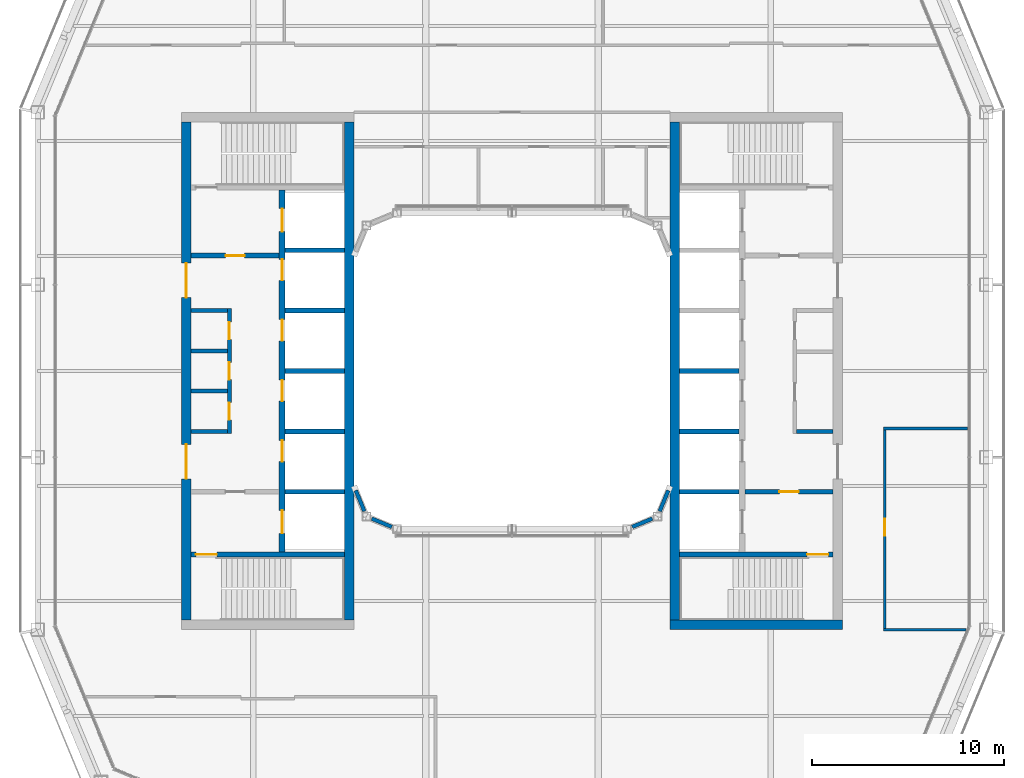
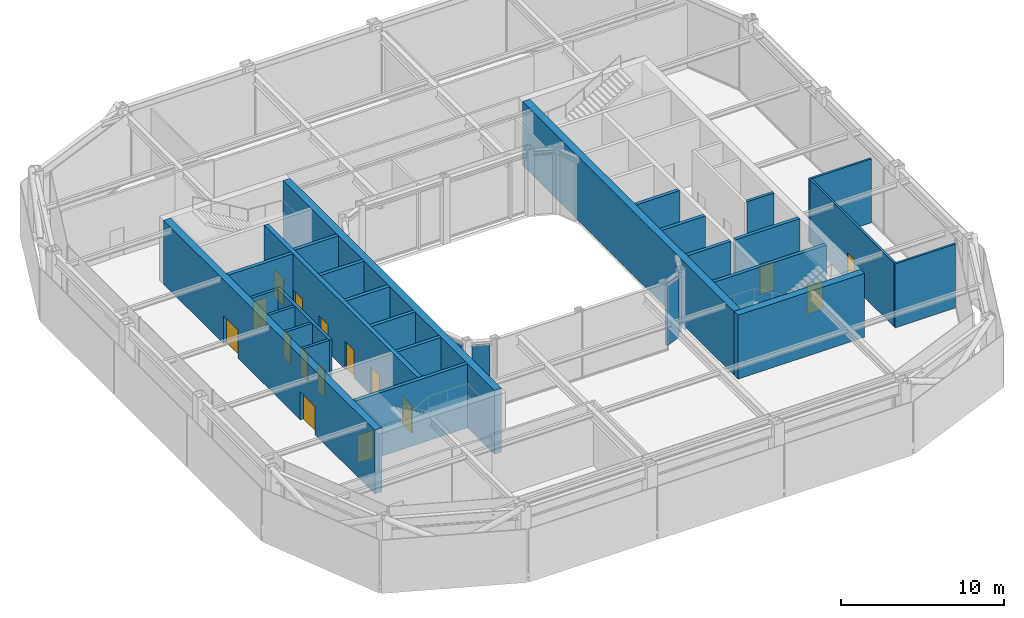
# One storey, part 11 of 17: 30 walls, 16 doors, 16 openings.
"""IFC4 building model written with IfcOpenShell, lengths in metres."""

from ifc_helpers import new_model, si_unit, direction, frame, frame_2d, origin, place, context, subcontext, project, spatial, rectangle, extrude, material, layer, layer_set, type_object, element, fill, save


model = new_model("IFC4")

# Units and contexts
model_context = context("Model", 3, precision=1e-05, world=origin(), true_north=direction((0.0, 1.0)))
body_context = subcontext(model_context, "Body", "Model", "MODEL_VIEW")
ifc_project = project(units=[si_unit("LENGTHUNIT", "METRE"), si_unit("AREAUNIT", "SQUARE_METRE"), si_unit("VOLUMEUNIT", "CUBIC_METRE"), si_unit("PLANEANGLEUNIT", "RADIAN"), si_unit("MASSUNIT", "GRAM", prefix="KILO")], contexts=[model_context])

# Site, building, storey
site_placement = place(None, origin())
site = spatial("IfcSite", under=ifc_project, at=site_placement, CompositionType="ELEMENT")
building_placement = place(site_placement, origin())
building = spatial("IfcBuilding", under=site, at=building_placement, Name="Siwar Civic Tower", CompositionType="ELEMENT")
storey_placement = place(building_placement, frame((0.0, 0.0, 353.199951171875)))
storey = spatial("IfcBuildingStorey", under=building, at=storey_placement, Name="L76", CompositionType="ELEMENT", Elevation=353.199951171875)

# Walls
ifc_material_1 = material(Name="Gypsum board on steel studs", Category="steel")
ifc_layer_1 = layer(ifc_material_1, 0.14990234375)
ifc_layer_set_1 = layer_set([ifc_layer_1], Name="Gypsum board on steel studs")
wall_type_1 = type_object("IfcWallType", Name="COMPARTMENT PARTITION 150 EI 60", PredefinedType="PARTITIONING", material=ifc_layer_set_1)
wall_1_placement = place(storey_placement, frame((19.375, -13.5, 0.0), z_axis=(0.0, 0.0, 1.0), x_axis=(1.0, 0.0, 0.0)))
element("IfcWall", 1, at=wall_1_placement, inside=storey, type_object=wall_type_1, Name="L76/wall/P04", PredefinedType="PARTITIONING", context=body_context, shape_type="SweptSolid", body=[
    extrude(rectangle(XDim=4.302978515625, YDim=0.14990234375, at=frame_2d((2.1513671875, 0.0))), origin(), (0.0, 0.0, 1.0), 4.800048828125),
])
wall_2_placement = place(storey_placement, frame((19.375, -3.0, 0.0), z_axis=(0.0, 0.0, 1.0), x_axis=(1.0, 0.0, 0.0)))
element("IfcWall", 2, at=wall_2_placement, inside=storey, type_object=wall_type_1, Name="L76/wall/P05", PredefinedType="PARTITIONING", context=body_context, shape_type="SweptSolid", body=[
    extrude(rectangle(XDim=4.385009765625, YDim=0.14990234375, at=frame_2d((2.1923828125, 0.0))), origin(), (0.0, 0.0, 1.0), 4.800048828125),
])

# Wall, opening, door
wall_3_placement = place(storey_placement, frame((19.449951171875, -13.425048828125, 0.0), z_axis=(0.0, 0.0, 1.0), x_axis=(0.0, 1.0, 0.0)))
wall_3 = element("IfcWall", 3, at=wall_3_placement, inside=storey, type_object=wall_type_1, Name="L76/wall/P21", PredefinedType="PARTITIONING", context=body_context, shape_type="SweptSolid", body=[
    extrude(rectangle(XDim=10.35009765625, YDim=0.14990234375, at=frame_2d((5.175048828125, 0.0))), origin(), (0.0, 0.0, 1.0), 4.800048828125),
])
opening_1_placement = place(wall_3_placement, frame((4.824951171875, 0.0, 0.0)))
opening_1 = element("IfcOpeningElement", 4, at=opening_1_placement, cuts=wall_3, Name="Opening D4", PredefinedType="OPENING", context=body_context, shape_type="SweptSolid", body=[
    extrude(rectangle(XDim=0.89990234375, YDim=2.10009765625, at=frame_2d((0.449951171875, 1.050048828125))), frame((0.0, 0.0849609375, 0.0), z_axis=(0.0, -1.0, 0.0), x_axis=(1.0, 0.0, 0.0)), (0.0, 0.0, 1.0), 0.169921875),
])
ifc_material_2 = material(Name="Timber, painted", Category="wood")
door_type_1 = type_object("IfcDoorType", Name="DOOR 900 X 2100 FD60", OperationType="SINGLE_SWING_LEFT", PredefinedType="DOOR", material=ifc_material_2)
door_1_placement = place(opening_1_placement, origin())
door_1 = element("IfcDoor", 5, at=door_1_placement, inside=storey, type_object=door_type_1, Name="L76-D09", OperationType="SINGLE_SWING_LEFT", OverallHeight=2.10009765625, OverallWidth=0.89990234375, PredefinedType="DOOR", context=body_context, shape_type="SweptSolid", body=[
    extrude(rectangle(XDim=0.89990234375, YDim=2.10009765625, at=frame_2d((0.449951171875, 1.050048828125))), frame((0.0, 0.02490234375, 0.0), z_axis=(0.0, -1.0, 0.0), x_axis=(1.0, 0.0, 0.0)), (0.0, 0.0, 1.0), 0.050048828125),
])
fill(opening_1, door_1)

# Wall, openings, doors
ifc_material_3 = material(Name="Gypsum board on steel studs", Category="steel")
ifc_layer_2 = layer(ifc_material_3, 0.199951171875)
ifc_layer_set_2 = layer_set([ifc_layer_2], Name="Gypsum board on steel studs")
wall_type_2 = type_object("IfcWallType", Name="CORE-PARTITION-200", PredefinedType="PARTITIONING", material=ifc_layer_set_2)
wall_4_placement = place(storey_placement, frame((-14.75, -3.25, 0.0), z_axis=(0.0, 0.0, 1.0), x_axis=(0.0, 1.0, 0.0)))
wall_4 = element("IfcWall", 6, at=wall_4_placement, inside=storey, type_object=wall_type_2, Name="Core partition W", PredefinedType="PARTITIONING", context=body_context, shape_type="SweptSolid", body=[
    extrude(rectangle(XDim=6.5, YDim=0.199951171875, at=frame_2d((3.25, 0.0))), origin(), (0.0, 0.0, 1.0), 4.800048828125),
])
opening_2_placement = place(wall_4_placement, frame((0.699951171875, 0.0, 0.0)))
opening_2 = element("IfcOpeningElement", 7, at=opening_2_placement, cuts=wall_4, Name="Opening L76-CW13", PredefinedType="OPENING", context=body_context, shape_type="SweptSolid", body=[
    extrude(rectangle(XDim=0.89990234375, YDim=2.10009765625, at=frame_2d((0.449951171875, 1.050048828125))), frame((0.0, 0.10986328125, 0.0), z_axis=(0.0, -1.0, 0.0), x_axis=(1.0, 0.0, 0.0)), (0.0, 0.0, 1.0), 0.219970703125),
])
opening_3_placement = place(wall_4_placement, frame((2.800048828125, 0.0, 0.0)))
opening_3 = element("IfcOpeningElement", 8, at=opening_3_placement, cuts=wall_4, Name="Opening L76-CW14", PredefinedType="OPENING", context=body_context, shape_type="SweptSolid", body=[
    extrude(rectangle(XDim=0.89990234375, YDim=2.10009765625, at=frame_2d((0.449951171875, 1.050048828125))), frame((0.0, 0.10986328125, 0.0), z_axis=(0.0, -1.0, 0.0), x_axis=(1.0, 0.0, 0.0)), (0.0, 0.0, 1.0), 0.219970703125),
])
opening_4_placement = place(wall_4_placement, frame((4.89990234375, 0.0, 0.0)))
opening_4 = element("IfcOpeningElement", 9, at=opening_4_placement, cuts=wall_4, Name="Opening L76-CW15", PredefinedType="OPENING", context=body_context, shape_type="SweptSolid", body=[
    extrude(rectangle(XDim=0.89990234375, YDim=2.10009765625, at=frame_2d((0.449951171875, 1.050048828125))), frame((0.0, 0.10986328125, 0.0), z_axis=(0.0, -1.0, 0.0), x_axis=(1.0, 0.0, 0.0)), (0.0, 0.0, 1.0), 0.219970703125),
])
ifc_material_4 = material(Name="Steel door leaf", Category="steel")
door_type_2 = type_object("IfcDoorType", Name="CORE-DOOR-ROOM", OperationType="SINGLE_SWING_LEFT", PredefinedType="DOOR", material=ifc_material_4)
door_2_placement = place(opening_2_placement, origin())
door_2 = element("IfcDoor", 10, at=door_2_placement, inside=storey, type_object=door_type_2, Name="Core room door L76-CW13", OperationType="SINGLE_SWING_RIGHT", OverallHeight=2.10009765625, OverallWidth=0.89990234375, PredefinedType="DOOR", context=body_context, shape_type="SweptSolid", body=[
    extrude(rectangle(XDim=0.89990234375, YDim=2.10009765625, at=frame_2d((0.449951171875, 1.050048828125))), frame((0.0, 0.02490234375, 0.0), z_axis=(0.0, -1.0, 0.0), x_axis=(1.0, 0.0, 0.0)), (0.0, 0.0, 1.0), 0.050048828125),
])
fill(opening_2, door_2)
door_3_placement = place(opening_3_placement, origin())
door_3 = element("IfcDoor", 11, at=door_3_placement, inside=storey, type_object=door_type_2, Name="Core room door L76-CW14", OperationType="SINGLE_SWING_RIGHT", OverallHeight=2.10009765625, OverallWidth=0.89990234375, PredefinedType="DOOR", context=body_context, shape_type="SweptSolid", body=[
    extrude(rectangle(XDim=0.89990234375, YDim=2.10009765625, at=frame_2d((0.449951171875, 1.050048828125))), frame((0.0, 0.02490234375, 0.0), z_axis=(0.0, -1.0, 0.0), x_axis=(1.0, 0.0, 0.0)), (0.0, 0.0, 1.0), 0.050048828125),
])
fill(opening_3, door_3)
door_4_placement = place(opening_4_placement, origin())
door_4 = element("IfcDoor", 12, at=door_4_placement, inside=storey, type_object=door_type_2, Name="Core room door L76-CW15", OperationType="SINGLE_SWING_RIGHT", OverallHeight=2.10009765625, OverallWidth=0.89990234375, PredefinedType="DOOR", context=body_context, shape_type="SweptSolid", body=[
    extrude(rectangle(XDim=0.89990234375, YDim=2.10009765625, at=frame_2d((0.449951171875, 1.050048828125))), frame((0.0, 0.02490234375, 0.0), z_axis=(0.0, -1.0, 0.0), x_axis=(1.0, 0.0, 0.0)), (0.0, 0.0, 1.0), 0.050048828125),
])
fill(opening_4, door_4)

# Walls
for number, where, z_axis, x_axis, name in (
    (13, (-14.85009765625, 3.14990234375, 0.0), (0.0, 0.0, 1.0), (-1.0, 0.0, 0.0), "Core partition W"),
    (14, (-14.85009765625, -3.14990234375, 0.0), (0.0, 0.0, 1.0), (-1.0, 0.0, 0.0), "Core partition W"),
    (15, (-14.85009765625, -1.050048828125, 0.0), (0.0, 0.0, 1.0), (-1.0, 0.0, 0.0), "Core partition W"),
    (16, (-14.85009765625, 1.050048828125, 0.0), (0.0, 0.0, 1.0), (-1.0, 0.0, 0.0), "Core partition W"),
    (17, (14.85009765625, -3.14990234375, 0.0), (0.0, 0.0, 1.0), (1.0, 0.0, 0.0), "Core partition E"),
):
    element("IfcWall", number, at=place(storey_placement, frame(where, z_axis=z_axis, x_axis=x_axis)), inside=storey, type_object=wall_type_2, Name=name, PredefinedType="PARTITIONING", context=body_context, shape_type="SweptSolid", body=[
        extrude(rectangle(XDim=1.89990234375, YDim=0.199951171875, at=frame_2d((0.949951171875, 0.0))), origin(), (0.0, 0.0, 1.0), 4.800048828125),
    ])

# Wall, opening, door
ifc_material_5 = material(Name="Concrete C60/75", Category="concrete")
ifc_layer_3 = layer(ifc_material_5, 0.25)
ifc_layer_set_3 = layer_set([ifc_layer_3], Name="Concrete C60/75")
wall_type_3 = type_object("IfcWallType", Name="CORE-WALL-RC250", PredefinedType="SHEAR", material=ifc_layer_set_3)
wall_5_placement = place(storey_placement, frame((-12.14990234375, 6.02490234375, 0.0), z_axis=(0.0, 0.0, 1.0), x_axis=(-1.0, 0.0, 0.0)))
wall_5 = element("IfcWall", 18, at=wall_5_placement, inside=storey, type_object=wall_type_3, Name="Core wall W", PredefinedType="SHEAR", context=body_context, shape_type="SweptSolid", body=[
    extrude(rectangle(XDim=4.60009765625, YDim=0.25, at=frame_2d((2.300048828125, 0.0))), origin(), (0.0, 0.0, 1.0), 4.800048828125),
])
opening_5_placement = place(wall_5_placement, frame((1.800048828125, 0.0, 0.0)))
opening_5 = element("IfcOpeningElement", 19, at=opening_5_placement, cuts=wall_5, Name="Opening L76-CW01", PredefinedType="OPENING", context=body_context, shape_type="SweptSolid", body=[
    extrude(rectangle(XDim=1.0, YDim=2.10009765625, at=frame_2d((0.5, 1.050048828125))), frame((0.0, 0.135009765625, 0.0), z_axis=(0.0, -1.0, 0.0), x_axis=(1.0, 0.0, 0.0)), (0.0, 0.0, 1.0), 0.27001953125),
])
ifc_material_6 = material(Name="Steel door leaf", Category="steel")
door_type_3 = type_object("IfcDoorType", Name="CORE-DOOR-FD30S", OperationType="SINGLE_SWING_LEFT", PredefinedType="DOOR", material=ifc_material_6)
door_5_placement = place(opening_5_placement, origin())
door_5 = element("IfcDoor", 20, at=door_5_placement, inside=storey, type_object=door_type_3, Name="Firefighting lobby door L76-CW01", OperationType="SINGLE_SWING_LEFT", OverallHeight=2.10009765625, OverallWidth=1.0, PredefinedType="DOOR", context=body_context, shape_type="SweptSolid", body=[
    extrude(rectangle(XDim=1.0, YDim=2.10009765625, at=frame_2d((0.5, 1.050048828125))), frame((0.0, 0.02490234375, 0.0), z_axis=(0.0, -1.0, 0.0), x_axis=(1.0, 0.0, 0.0)), (0.0, 0.0, 1.0), 0.050048828125),
])
fill(opening_5, door_5)

# Walls
for number, where, z_axis, x_axis, name in (
    (21, (-8.75, 0.0, 0.0), (0.0, 0.0, 1.0), (-1.0, 0.0, 0.0), "Core wall W"),
    (22, (-8.75, 3.14990234375, 0.0), (0.0, 0.0, 1.0), (-1.0, 0.0, 0.0), "Core wall W"),
    (23, (-8.75, 6.300048828125, 0.0), (0.0, 0.0, 1.0), (-1.0, 0.0, 0.0), "Core wall W"),
    (24, (-8.75, -3.14990234375, 0.0), (0.0, 0.0, 1.0), (-1.0, 0.0, 0.0), "Core wall W"),
    (25, (-8.75, -6.300048828125, 0.0), (0.0, 0.0, 1.0), (-1.0, 0.0, 0.0), "Core wall W"),
):
    element("IfcWall", number, at=place(storey_placement, frame(where, z_axis=z_axis, x_axis=x_axis)), inside=storey, type_object=wall_type_3, Name=name, PredefinedType="SHEAR", context=body_context, shape_type="SweptSolid", body=[
        extrude(rectangle(XDim=3.10009765625, YDim=0.25, at=frame_2d((1.550048828125, 0.0))), origin(), (0.0, 0.0, 1.0), 4.800048828125),
    ])

# Wall, opening, door
wall_6_placement = place(storey_placement, frame((-8.75, -9.574951171875, 0.0), z_axis=(0.0, 0.0, 1.0), x_axis=(-1.0, 0.0, 0.0)))
wall_6 = element("IfcWall", 26, at=wall_6_placement, inside=storey, type_object=wall_type_3, Name="Core wall W", PredefinedType="SHEAR", context=body_context, shape_type="SweptSolid", body=[
    extrude(rectangle(XDim=8.0, YDim=0.25, at=frame_2d((4.0, 0.0))), origin(), (0.0, 0.0, 1.0), 4.800048828125),
])
opening_6_placement = place(wall_6_placement, frame((6.64990234375, 0.0, 0.0)))
opening_6 = element("IfcOpeningElement", 27, at=opening_6_placement, cuts=wall_6, Name="Opening L76-CW04", PredefinedType="OPENING", context=body_context, shape_type="SweptSolid", body=[
    extrude(rectangle(XDim=1.10009765625, YDim=2.10009765625, at=frame_2d((0.550048828125, 1.050048828125))), frame((0.0, 0.135009765625, 0.0), z_axis=(0.0, -1.0, 0.0), x_axis=(1.0, 0.0, 0.0)), (0.0, 0.0, 1.0), 0.27001953125),
])
ifc_material_7 = material(Name="Steel door leaf", Category="steel")
door_type_4 = type_object("IfcDoorType", Name="CORE-DOOR-FD60S", OperationType="SINGLE_SWING_LEFT", PredefinedType="DOOR", material=ifc_material_7)
door_6_placement = place(opening_6_placement, origin())
door_6 = element("IfcDoor", 28, at=door_6_placement, inside=storey, type_object=door_type_4, Name="Stair door L76-CW04", OperationType="SINGLE_SWING_LEFT", OverallHeight=2.10009765625, OverallWidth=1.10009765625, PredefinedType="DOOR", context=body_context, shape_type="SweptSolid", body=[
    extrude(rectangle(XDim=1.10009765625, YDim=2.10009765625, at=frame_2d((0.550048828125, 1.050048828125))), frame((0.0, 0.02490234375, 0.0), z_axis=(0.0, -1.0, 0.0), x_axis=(1.0, 0.0, 0.0)), (0.0, 0.0, 1.0), 0.050048828125),
])
fill(opening_6, door_6)

wall_7_placement = place(storey_placement, frame((12.14990234375, -6.300048828125, 0.0), z_axis=(0.0, 0.0, 1.0), x_axis=(1.0, 0.0, 0.0)))
wall_7 = element("IfcWall", 29, at=wall_7_placement, inside=storey, type_object=wall_type_3, Name="Core wall E", PredefinedType="SHEAR", context=body_context, shape_type="SweptSolid", body=[
    extrude(rectangle(XDim=4.60009765625, YDim=0.25, at=frame_2d((2.300048828125, 0.0))), origin(), (0.0, 0.0, 1.0), 4.800048828125),
])
opening_7_placement = place(wall_7_placement, frame((1.800048828125, 0.0, 0.0)))
opening_7 = element("IfcOpeningElement", 30, at=opening_7_placement, cuts=wall_7, Name="Opening L76-CE02", PredefinedType="OPENING", context=body_context, shape_type="SweptSolid", body=[
    extrude(rectangle(XDim=1.0, YDim=2.10009765625, at=frame_2d((0.5, 1.050048828125))), frame((0.0, 0.135009765625, 0.0), z_axis=(0.0, -1.0, 0.0), x_axis=(1.0, 0.0, 0.0)), (0.0, 0.0, 1.0), 0.27001953125),
])
door_7_placement = place(opening_7_placement, origin())
door_7 = element("IfcDoor", 31, at=door_7_placement, inside=storey, type_object=door_type_3, Name="Service lobby door L76-CE02", OperationType="SINGLE_SWING_LEFT", OverallHeight=2.10009765625, OverallWidth=1.0, PredefinedType="DOOR", context=body_context, shape_type="SweptSolid", body=[
    extrude(rectangle(XDim=1.0, YDim=2.10009765625, at=frame_2d((0.5, 1.050048828125))), frame((0.0, 0.02490234375, 0.0), z_axis=(0.0, -1.0, 0.0), x_axis=(1.0, 0.0, 0.0)), (0.0, 0.0, 1.0), 0.050048828125),
])
fill(opening_7, door_7)

# Walls
for number, where, z_axis, x_axis, name in (
    (32, (8.75, 0.0, 0.0), (0.0, 0.0, 1.0), (1.0, 0.0, 0.0), "Core wall E"),
    (33, (8.75, -3.14990234375, 0.0), (0.0, 0.0, 1.0), (1.0, 0.0, 0.0), "Core wall E"),
    (34, (8.75, -6.300048828125, 0.0), (0.0, 0.0, 1.0), (1.0, 0.0, 0.0), "Core wall E"),
):
    element("IfcWall", number, at=place(storey_placement, frame(where, z_axis=z_axis, x_axis=x_axis)), inside=storey, type_object=wall_type_3, Name=name, PredefinedType="SHEAR", context=body_context, shape_type="SweptSolid", body=[
        extrude(rectangle(XDim=3.10009765625, YDim=0.25, at=frame_2d((1.550048828125, 0.0))), origin(), (0.0, 0.0, 1.0), 4.800048828125),
    ])

# Wall, opening, door
wall_8_placement = place(storey_placement, frame((8.75, -9.574951171875, 0.0), z_axis=(0.0, 0.0, 1.0), x_axis=(1.0, 0.0, 0.0)))
wall_8 = element("IfcWall", 35, at=wall_8_placement, inside=storey, type_object=wall_type_3, Name="Core wall E", PredefinedType="SHEAR", context=body_context, shape_type="SweptSolid", body=[
    extrude(rectangle(XDim=8.0, YDim=0.25, at=frame_2d((4.0, 0.0))), origin(), (0.0, 0.0, 1.0), 4.800048828125),
])
opening_8_placement = place(wall_8_placement, frame((6.64990234375, 0.0, 0.0)))
opening_8 = element("IfcOpeningElement", 36, at=opening_8_placement, cuts=wall_8, Name="Opening L76-CE04", PredefinedType="OPENING", context=body_context, shape_type="SweptSolid", body=[
    extrude(rectangle(XDim=1.10009765625, YDim=2.10009765625, at=frame_2d((0.550048828125, 1.050048828125))), frame((0.0, 0.135009765625, 0.0), z_axis=(0.0, -1.0, 0.0), x_axis=(1.0, 0.0, 0.0)), (0.0, 0.0, 1.0), 0.27001953125),
])
door_8_placement = place(opening_8_placement, origin())
door_8 = element("IfcDoor", 37, at=door_8_placement, inside=storey, type_object=door_type_4, Name="Stair door L76-CE04", OperationType="SINGLE_SWING_RIGHT", OverallHeight=2.10009765625, OverallWidth=1.10009765625, PredefinedType="DOOR", context=body_context, shape_type="SweptSolid", body=[
    extrude(rectangle(XDim=1.10009765625, YDim=2.10009765625, at=frame_2d((0.550048828125, 1.050048828125))), frame((0.0, 0.02490234375, 0.0), z_axis=(0.0, -1.0, 0.0), x_axis=(1.0, 0.0, 0.0)), (0.0, 0.0, 1.0), 0.050048828125),
])
fill(opening_8, door_8)

# Wall, openings, doors
ifc_material_8 = material(Name="Concrete C60/75", Category="concrete")
ifc_layer_4 = layer(ifc_material_8, 0.300048828125)
ifc_layer_set_4 = layer_set([ifc_layer_4], Name="Concrete C60/75")
wall_type_4 = type_object("IfcWallType", Name="CORE-WALL-RC300", PredefinedType="SHEAR", material=ifc_layer_set_4)
wall_9_placement = place(storey_placement, frame((-12.0, -9.449951171875, 0.0), z_axis=(0.0, 0.0, 1.0), x_axis=(0.0, 1.0, 0.0)))
wall_9 = element("IfcWall", 38, at=wall_9_placement, inside=storey, type_object=wall_type_4, Name="Core wall W", PredefinedType="SHEAR", context=body_context, shape_type="SweptSolid", body=[
    extrude(rectangle(XDim=18.89990234375, YDim=0.300048828125, at=frame_2d((9.449951171875, 0.0))), origin(), (0.0, 0.0, 1.0), 4.800048828125),
])
opening_9_placement = place(wall_9_placement, frame((4.72509765625, 0.0, 0.0)))
opening_9 = element("IfcOpeningElement", 39, at=opening_9_placement, cuts=wall_9, Name="Opening L76-CW07", PredefinedType="OPENING", context=body_context, shape_type="SweptSolid", body=[
    extrude(rectangle(XDim=1.10009765625, YDim=2.10009765625, at=frame_2d((0.550048828125, 1.050048828125))), frame((0.0, 0.16015625, 0.0), z_axis=(0.0, -1.0, 0.0), x_axis=(1.0, 0.0, 0.0)), (0.0, 0.0, 1.0), 0.320068359375),
])
opening_10_placement = place(wall_9_placement, frame((7.875, 0.0, 0.0)))
opening_10 = element("IfcOpeningElement", 40, at=opening_10_placement, cuts=wall_9, Name="Opening L76-CW08", PredefinedType="OPENING", context=body_context, shape_type="SweptSolid", body=[
    extrude(rectangle(XDim=1.10009765625, YDim=2.10009765625, at=frame_2d((0.550048828125, 1.050048828125))), frame((0.0, 0.16015625, 0.0), z_axis=(0.0, -1.0, 0.0), x_axis=(1.0, 0.0, 0.0)), (0.0, 0.0, 1.0), 0.320068359375),
])
opening_11_placement = place(wall_9_placement, frame((11.02490234375, 0.0, 0.0)))
opening_11 = element("IfcOpeningElement", 41, at=opening_11_placement, cuts=wall_9, Name="Opening L76-CW09", PredefinedType="OPENING", context=body_context, shape_type="SweptSolid", body=[
    extrude(rectangle(XDim=1.10009765625, YDim=2.10009765625, at=frame_2d((0.550048828125, 1.050048828125))), frame((0.0, 0.16015625, 0.0), z_axis=(0.0, -1.0, 0.0), x_axis=(1.0, 0.0, 0.0)), (0.0, 0.0, 1.0), 0.320068359375),
])
opening_12_placement = place(wall_9_placement, frame((14.175048828125, 0.0, 0.0)))
opening_12 = element("IfcOpeningElement", 42, at=opening_12_placement, cuts=wall_9, Name="Opening L76-CW10", PredefinedType="OPENING", context=body_context, shape_type="SweptSolid", body=[
    extrude(rectangle(XDim=1.10009765625, YDim=2.10009765625, at=frame_2d((0.550048828125, 1.050048828125))), frame((0.0, 0.16015625, 0.0), z_axis=(0.0, -1.0, 0.0), x_axis=(1.0, 0.0, 0.0)), (0.0, 0.0, 1.0), 0.320068359375),
])
opening_13_placement = place(wall_9_placement, frame((16.72509765625, 0.0, 0.0)))
opening_13 = element("IfcOpeningElement", 43, at=opening_13_placement, cuts=wall_9, Name="Opening L76-CW11", PredefinedType="OPENING", context=body_context, shape_type="SweptSolid", body=[
    extrude(rectangle(XDim=1.199951171875, YDim=2.10009765625, at=frame_2d((0.60009765625, 1.050048828125))), frame((0.0, 0.16015625, 0.0), z_axis=(0.0, -1.0, 0.0), x_axis=(1.0, 0.0, 0.0)), (0.0, 0.0, 1.0), 0.320068359375),
])
opening_14_placement = place(wall_9_placement, frame((0.97509765625, 0.0, 0.0)))
opening_14 = element("IfcOpeningElement", 44, at=opening_14_placement, cuts=wall_9, Name="Opening L76-CW12", PredefinedType="OPENING", context=body_context, shape_type="SweptSolid", body=[
    extrude(rectangle(XDim=1.199951171875, YDim=2.10009765625, at=frame_2d((0.60009765625, 1.050048828125))), frame((0.0, 0.16015625, 0.0), z_axis=(0.0, -1.0, 0.0), x_axis=(1.0, 0.0, 0.0)), (0.0, 0.0, 1.0), 0.320068359375),
])
ifc_material_9 = material(Name="Steel door leaf", Category="steel")
door_type_5 = type_object("IfcDoorType", Name="CORE-DOOR-LD", OperationType="DOUBLE_DOOR_SLIDING", PredefinedType="DOOR", material=ifc_material_9)
door_9_placement = place(opening_9_placement, origin())
door_9 = element("IfcDoor", 45, at=door_9_placement, inside=storey, type_object=door_type_5, Name="Landing door HR1 L76-CW07", OperationType="DOUBLE_DOOR_SLIDING", OverallHeight=2.10009765625, OverallWidth=1.10009765625, PredefinedType="DOOR", context=body_context, shape_type="SweptSolid", body=[
    extrude(rectangle(XDim=1.10009765625, YDim=2.10009765625, at=frame_2d((0.550048828125, 1.050048828125))), frame((0.0, 0.02490234375, 0.0), z_axis=(0.0, -1.0, 0.0), x_axis=(1.0, 0.0, 0.0)), (0.0, 0.0, 1.0), 0.050048828125),
])
fill(opening_9, door_9)
door_10_placement = place(opening_10_placement, origin())
door_10 = element("IfcDoor", 46, at=door_10_placement, inside=storey, type_object=door_type_5, Name="Landing door HR2 L76-CW08", OperationType="DOUBLE_DOOR_SLIDING", OverallHeight=2.10009765625, OverallWidth=1.10009765625, PredefinedType="DOOR", context=body_context, shape_type="SweptSolid", body=[
    extrude(rectangle(XDim=1.10009765625, YDim=2.10009765625, at=frame_2d((0.550048828125, 1.050048828125))), frame((0.0, 0.02490234375, 0.0), z_axis=(0.0, -1.0, 0.0), x_axis=(1.0, 0.0, 0.0)), (0.0, 0.0, 1.0), 0.050048828125),
])
fill(opening_10, door_10)
door_11_placement = place(opening_11_placement, origin())
door_11 = element("IfcDoor", 47, at=door_11_placement, inside=storey, type_object=door_type_5, Name="Landing door HR3 L76-CW09", OperationType="DOUBLE_DOOR_SLIDING", OverallHeight=2.10009765625, OverallWidth=1.10009765625, PredefinedType="DOOR", context=body_context, shape_type="SweptSolid", body=[
    extrude(rectangle(XDim=1.10009765625, YDim=2.10009765625, at=frame_2d((0.550048828125, 1.050048828125))), frame((0.0, 0.02490234375, 0.0), z_axis=(0.0, -1.0, 0.0), x_axis=(1.0, 0.0, 0.0)), (0.0, 0.0, 1.0), 0.050048828125),
])
fill(opening_11, door_11)
door_12_placement = place(opening_12_placement, origin())
door_12 = element("IfcDoor", 48, at=door_12_placement, inside=storey, type_object=door_type_5, Name="Landing door HR4 L76-CW10", OperationType="DOUBLE_DOOR_SLIDING", OverallHeight=2.10009765625, OverallWidth=1.10009765625, PredefinedType="DOOR", context=body_context, shape_type="SweptSolid", body=[
    extrude(rectangle(XDim=1.10009765625, YDim=2.10009765625, at=frame_2d((0.550048828125, 1.050048828125))), frame((0.0, 0.02490234375, 0.0), z_axis=(0.0, -1.0, 0.0), x_axis=(1.0, 0.0, 0.0)), (0.0, 0.0, 1.0), 0.050048828125),
])
fill(opening_12, door_12)
ifc_material_10 = material(Name="Steel door leaf", Category="steel")
door_type_6 = type_object("IfcDoorType", Name="CORE-DOOR-LDW", OperationType="DOUBLE_DOOR_SLIDING", PredefinedType="DOOR", material=ifc_material_10)
door_13_placement = place(opening_13_placement, origin())
door_13 = element("IfcDoor", 49, at=door_13_placement, inside=storey, type_object=door_type_6, Name="Landing door FF1 L76-CW11", OperationType="DOUBLE_DOOR_SLIDING", OverallHeight=2.10009765625, OverallWidth=1.199951171875, PredefinedType="DOOR", context=body_context, shape_type="SweptSolid", body=[
    extrude(rectangle(XDim=1.199951171875, YDim=2.10009765625, at=frame_2d((0.60009765625, 1.050048828125))), frame((0.0, 0.02490234375, 0.0), z_axis=(0.0, -1.0, 0.0), x_axis=(1.0, 0.0, 0.0)), (0.0, 0.0, 1.0), 0.050048828125),
])
fill(opening_13, door_13)
door_14_placement = place(opening_14_placement, origin())
door_14 = element("IfcDoor", 50, at=door_14_placement, inside=storey, type_object=door_type_6, Name="Landing door SV1 L76-CW12", OperationType="DOUBLE_DOOR_SLIDING", OverallHeight=2.10009765625, OverallWidth=1.199951171875, PredefinedType="DOOR", context=body_context, shape_type="SweptSolid", body=[
    extrude(rectangle(XDim=1.199951171875, YDim=2.10009765625, at=frame_2d((0.60009765625, 1.050048828125))), frame((0.0, 0.02490234375, 0.0), z_axis=(0.0, -1.0, 0.0), x_axis=(1.0, 0.0, 0.0)), (0.0, 0.0, 1.0), 0.050048828125),
])
fill(opening_14, door_14)

ifc_material_11 = material(Name="Concrete C60/75", Category="concrete")
ifc_layer_5 = layer(ifc_material_11, 0.5)
ifc_layer_set_5 = layer_set([ifc_layer_5], Name="Concrete C60/75")
wall_type_5 = type_object("IfcWallType", Name="CORE-WALL-RC500", PredefinedType="SHEAR", material=ifc_layer_set_5)
wall_10_placement = place(storey_placement, frame((-17.0, -13.0, 0.0), z_axis=(0.0, 0.0, 1.0), x_axis=(0.0, 1.0, 0.0)))
wall_10 = element("IfcWall", 51, at=wall_10_placement, inside=storey, type_object=wall_type_5, Name="Core wall W", PredefinedType="SHEAR", context=body_context, shape_type="SweptSolid", body=[
    extrude(rectangle(XDim=26.0, YDim=0.5, at=frame_2d((13.0, 0.0))), origin(), (0.0, 0.0, 1.0), 4.800048828125),
])
opening_15_placement = place(wall_10_placement, frame((16.824951171875, 0.0, 0.0)))
opening_15 = element("IfcOpeningElement", 52, at=opening_15_placement, cuts=wall_10, Name="Opening L76-CW05", PredefinedType="OPENING", context=body_context, shape_type="SweptSolid", body=[
    extrude(rectangle(XDim=1.800048828125, YDim=2.10009765625, at=frame_2d((0.89990234375, 1.050048828125))), frame((0.0, 0.260009765625, 0.0), z_axis=(0.0, -1.0, 0.0), x_axis=(1.0, 0.0, 0.0)), (0.0, 0.0, 1.0), 0.52001953125),
])
opening_16_placement = place(wall_10_placement, frame((7.375, 0.0, 0.0)))
opening_16 = element("IfcOpeningElement", 53, at=opening_16_placement, cuts=wall_10, Name="Opening L76-CW06", PredefinedType="OPENING", context=body_context, shape_type="SweptSolid", body=[
    extrude(rectangle(XDim=1.800048828125, YDim=2.10009765625, at=frame_2d((0.89990234375, 1.050048828125))), frame((0.0, 0.260009765625, 0.0), z_axis=(0.0, -1.0, 0.0), x_axis=(1.0, 0.0, 0.0)), (0.0, 0.0, 1.0), 0.52001953125),
])
ifc_material_12 = material(Name="Steel door leaf", Category="steel")
door_type_7 = type_object("IfcDoorType", Name="CORE-DOOR-PORT", OperationType="DOUBLE_DOOR_DOUBLE_SWING", PredefinedType="DOOR", material=ifc_material_12)
door_15_placement = place(opening_15_placement, origin())
door_15 = element("IfcDoor", 54, at=door_15_placement, inside=storey, type_object=door_type_7, Name="Core entrance door L76-CW05", OperationType="DOUBLE_DOOR_DOUBLE_SWING", OverallHeight=2.10009765625, OverallWidth=1.800048828125, PredefinedType="DOOR", context=body_context, shape_type="SweptSolid", body=[
    extrude(rectangle(XDim=1.800048828125, YDim=2.10009765625, at=frame_2d((0.89990234375, 1.050048828125))), frame((0.0, 0.02490234375, 0.0), z_axis=(0.0, -1.0, 0.0), x_axis=(1.0, 0.0, 0.0)), (0.0, 0.0, 1.0), 0.050048828125),
])
fill(opening_15, door_15)
door_16_placement = place(opening_16_placement, origin())
door_16 = element("IfcDoor", 55, at=door_16_placement, inside=storey, type_object=door_type_7, Name="Core entrance door L76-CW06", OperationType="DOUBLE_DOOR_DOUBLE_SWING", OverallHeight=2.10009765625, OverallWidth=1.800048828125, PredefinedType="DOOR", context=body_context, shape_type="SweptSolid", body=[
    extrude(rectangle(XDim=1.800048828125, YDim=2.10009765625, at=frame_2d((0.89990234375, 1.050048828125))), frame((0.0, 0.02490234375, 0.0), z_axis=(0.0, -1.0, 0.0), x_axis=(1.0, 0.0, 0.0)), (0.0, 0.0, 1.0), 0.050048828125),
])
fill(opening_16, door_16)

# Walls
wall_11_placement = place(storey_placement, frame((8.25, -13.25, 0.0), z_axis=(0.0, 0.0, 1.0), x_axis=(1.0, 0.0, 0.0)))
element("IfcWall", 56, at=wall_11_placement, inside=storey, type_object=wall_type_5, Name="Core wall E", PredefinedType="SHEAR", context=body_context, shape_type="SweptSolid", body=[
    extrude(rectangle(XDim=9.0, YDim=0.5, at=frame_2d((4.5, 0.0))), origin(), (0.0, 0.0, 1.0), 4.800048828125),
])
ifc_material_13 = material(Name="Concrete C60/75", Category="concrete")
ifc_layer_6 = layer(ifc_material_13, 0.5)
ifc_layer_set_6 = layer_set([ifc_layer_6], Name="Concrete C60/75")
wall_type_6 = type_object("IfcWallType", Name="CORE-WALL-RC500-EXT", PredefinedType="SHEAR", material=ifc_layer_set_6)
for number, where, z_axis, x_axis, name in (
    (57, (-8.5, -13.0, 0.0), (0.0, 0.0, 1.0), (0.0, 1.0, 0.0), "Core wall W"),
    (58, (8.5, -13.0, 0.0), (0.0, 0.0, 1.0), (0.0, 1.0, 0.0), "Core wall E"),
):
    element("IfcWall", number, at=place(storey_placement, frame(where, z_axis=z_axis, x_axis=x_axis)), inside=storey, type_object=wall_type_6, Name=name, PredefinedType="SHEAR", context=body_context, shape_type="SweptSolid", body=[
        extrude(rectangle(XDim=26.0, YDim=0.5, at=frame_2d((13.0, 0.0))), origin(), (0.0, 0.0, 1.0), 4.800048828125),
    ])
ifc_material_14 = material(Name="Aluminium clad insulated panel", Category="aluminium")
ifc_layer_7 = layer(ifc_material_14, 0.199951171875)
ifc_layer_set_7 = layer_set([ifc_layer_7], Name="Aluminium clad insulated panel")
wall_type_7 = type_object("IfcWallType", Name="ENV-WALL-WELL", PredefinedType="STANDARD", material=ifc_layer_set_7)
wall_12_placement = place(storey_placement, frame((6.271484375, -8.137451171875, 0.0), z_axis=(0.0, 0.0, 1.0), x_axis=(0.923864661962, 0.382719331074, 0.0)))
element("IfcWall", 59, at=wall_12_placement, inside=storey, type_object=wall_type_7, Name="Light well corner wall SE1", PredefinedType="STANDARD", context=body_context, shape_type="SweptSolid", body=[
    extrude(rectangle(XDim=1.13427734375, YDim=0.199951171875, at=frame_2d((0.567138671875, 0.0))), origin(), (0.0, 0.0, 1.0), 4.4599609375),
])
for number, where, z_axis, x_axis, name in (
    (60, (7.703369140625, -7.3193359375, 0.0), (0.0, 0.0, 1.0), (0.382760542083, 0.92384758885, 0.0), "Light well corner wall SE2"),
    (61, (-8.154296875, -6.23095703125, 0.0), (0.0, 0.0, 1.0), (0.382760542083, -0.92384758885, 0.0), "Light well corner wall SW1"),
):
    element("IfcWall", number, at=place(storey_placement, frame(where, z_axis=z_axis, x_axis=x_axis)), inside=storey, type_object=wall_type_7, Name=name, PredefinedType="STANDARD", context=body_context, shape_type="SweptSolid", body=[
        extrude(rectangle(XDim=1.177978515625, YDim=0.199951171875, at=frame_2d((0.5888671875, 0.0))), origin(), (0.0, 0.0, 1.0), 4.4599609375),
    ])
wall_13_placement = place(storey_placement, frame((-7.3193359375, -7.703369140625, 0.0), z_axis=(0.0, 0.0, 1.0), x_axis=(0.923864661962, -0.382719331074, 0.0)))
element("IfcWall", 62, at=wall_13_placement, inside=storey, type_object=wall_type_7, Name="Light well corner wall SW2", PredefinedType="STANDARD", context=body_context, shape_type="SweptSolid", body=[
    extrude(rectangle(XDim=1.13427734375, YDim=0.199951171875, at=frame_2d((0.567138671875, 0.0))), origin(), (0.0, 0.0, 1.0), 4.4599609375),
])

save(model, "model.ifc")
